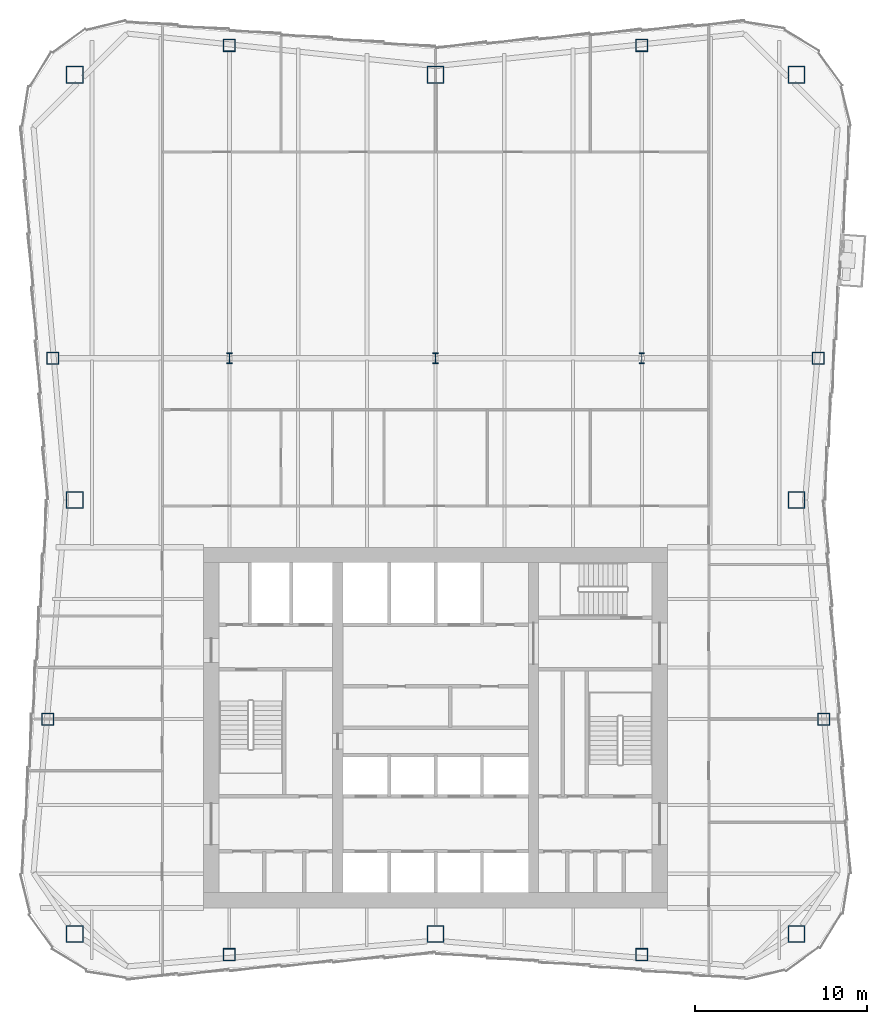
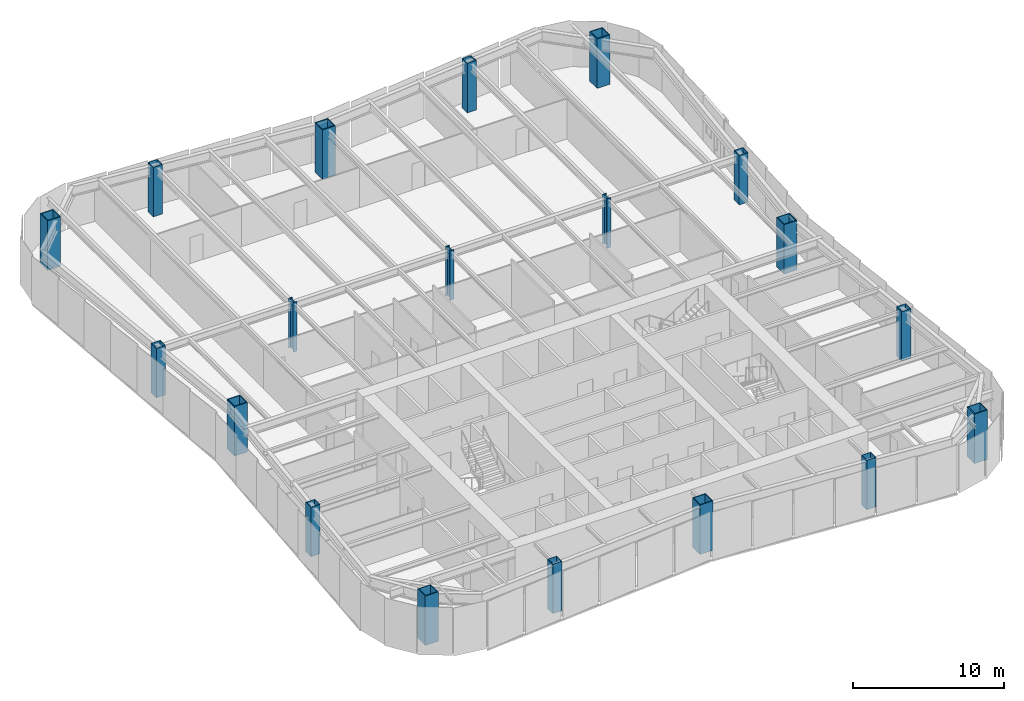
# One storey, part 1 of 10: 19 columns.
"""IFC4 building model written with IfcOpenShell, lengths in metres."""

from ifc_helpers import new_model, si_unit, direction, frame, origin, origin_2d, place, context, subcontext, project, spatial, hollow_rectangle, i_section, extrude, material, material_profile, profile_set, type_object, element, save


model = new_model("IFC4")

# Units and contexts
model_context = context("Model", 3, precision=1e-05, world=origin(), true_north=direction((0.0, 1.0)))
body_context = subcontext(model_context, "Body", "Model", "MODEL_VIEW")
ifc_project = project(units=[si_unit("LENGTHUNIT", "METRE"), si_unit("AREAUNIT", "SQUARE_METRE"), si_unit("VOLUMEUNIT", "CUBIC_METRE"), si_unit("PLANEANGLEUNIT", "RADIAN"), si_unit("MASSUNIT", "GRAM", prefix="KILO")], contexts=[model_context])

# Site, building, storey
site_placement = place(None, origin())
site = spatial("IfcSite", under=ifc_project, at=site_placement, CompositionType="ELEMENT")
building_placement = place(site_placement, origin())
building = spatial("IfcBuilding", under=site, at=building_placement, Name="Verdant Reach Tower", CompositionType="ELEMENT")
storey_placement = place(building_placement, frame((0.0, 0.0, 198.0)))
storey = spatial("IfcBuildingStorey", under=building, at=storey_placement, Name="L45", CompositionType="ELEMENT", Elevation=198.0)

# Columns
ifc_material = material(Name="Steel S460", Category="steel")
ifc_material_profile_1 = material_profile(ifc_material, i_section(OverallWidth=0.304931640625, OverallDepth=0.6201171875, WebThickness=0.02099609375, FlangeThickness=0.0400390625, FilletRadius=0.027099609375, at=origin_2d()), Name="HEM 600")
ifc_profile_set_1 = profile_set([ifc_material_profile_1], Name="Steel S460")
column_type_1 = type_object("IfcColumnType", Name="ST-COL-HEM600", PredefinedType="COLUMN", material=ifc_profile_set_1)
for number, where, z_axis, x_axis, name in (
    (1, (-12.0, 49.5, 0.0), (0.0, 0.0, 1.0), (1.0, 0.0, 0.0), "Interior column 1, L45"),
    (2, (0.0, 49.5, 0.0), (0.0, 0.0, 1.0), (1.0, 0.0, 0.0), "Interior column 2, L45"),
    (3, (12.0, 49.5, 0.0), (0.0, 0.0, 1.0), (1.0, 0.0, 0.0), "Interior column 3, L45"),
):
    element("IfcColumn", number, at=place(storey_placement, frame(where, z_axis=z_axis, x_axis=x_axis)), inside=storey, type_object=column_type_1, Name=name, PredefinedType="COLUMN", context=body_context, shape_type="SweptSolid", body=[
        extrude(i_section(OverallWidth=0.304931640625, OverallDepth=0.6201171875, WebThickness=0.02099609375, FlangeThickness=0.0400390625, FilletRadius=0.027099609375, at=origin_2d()), origin(), (0.0, 0.0, 1.0), 4.0),
    ])
ifc_material_profile_2 = material_profile(ifc_material, hollow_rectangle(XDim=1.0, YDim=1.0, WallThickness=0.06005859375, at=origin_2d()), Name="WB 1000x1000x60")
ifc_profile_set_2 = profile_set([ifc_material_profile_2], Name="Steel S460")
column_type_2 = type_object("IfcColumnType", Name="ST-COL-WB1000x1000x60", PredefinedType="COLUMN", material=ifc_profile_set_2)
for number, where, z_axis, x_axis, name in (
    (4, (-21.0, 66.0, 0.0), (0.0, 0.0, 1.0), (1.0, 0.0, 0.0), "Mega column north-west, L45"),
    (5, (0.0, 66.0, 0.0), (0.0, 0.0, 1.0), (1.0, 0.0, 0.0), "Mega column north, L45"),
    (6, (21.0, 66.0, 0.0), (0.0, 0.0, 1.0), (1.0, 0.0, 0.0), "Mega column north-east, L45"),
    (7, (21.0, 41.25, 0.0), (0.0, 0.0, 1.0), (1.0, 0.0, 0.0), "Mega column east, L45"),
    (8, (21.0, 16.0, 0.0), (0.0, 0.0, 1.0), (1.0, 0.0, 0.0), "Mega column south-east, L45"),
    (9, (0.0, 16.0, 0.0), (0.0, 0.0, 1.0), (1.0, 0.0, 0.0), "Mega column south, L45"),
    (10, (-21.0, 16.0, 0.0), (0.0, 0.0, 1.0), (1.0, 0.0, 0.0), "Mega column south-west, L45"),
    (11, (-21.0, 41.25, 0.0), (0.0, 0.0, 1.0), (1.0, 0.0, 0.0), "Mega column west, L45"),
):
    element("IfcColumn", number, at=place(storey_placement, frame(where, z_axis=z_axis, x_axis=x_axis)), inside=storey, type_object=column_type_2, Name=name, PredefinedType="COLUMN", context=body_context, shape_type="SweptSolid", body=[
        extrude(hollow_rectangle(XDim=1.0, YDim=1.0, WallThickness=0.06005859375, at=origin_2d()), origin(), (0.0, 0.0, 1.0), 4.0),
    ])
ifc_material_profile_3 = material_profile(ifc_material, hollow_rectangle(XDim=0.699951171875, YDim=0.699951171875, WallThickness=0.030029296875, at=origin_2d()), Name="WB 700x700x30")
ifc_profile_set_3 = profile_set([ifc_material_profile_3], Name="Steel S460")
column_type_3 = type_object("IfcColumnType", Name="ST-COL-WB700x700x30", PredefinedType="COLUMN", material=ifc_profile_set_3)
for number, where, z_axis, x_axis, name in (
    (12, (-12.0, 67.699951171875, 0.0), (0.0, 0.0, 1.0), (1.0, 0.0, 0.0), "Perimeter column north 1, L45"),
    (13, (12.0, 67.699951171875, 0.0), (0.0, 0.0, 1.0), (1.0, 0.0, 0.0), "Perimeter column north 2, L45"),
    (14, (-12.0, 14.800048828125, 0.0), (0.0, 0.0, 1.0), (1.0, 0.0, 0.0), "Perimeter column south 1, L45"),
    (15, (12.0, 14.800048828125, 0.0), (0.0, 0.0, 1.0), (1.0, 0.0, 0.0), "Perimeter column south 2, L45"),
    (16, (22.579345703125, 28.5, 0.0), (0.0, 0.0, 1.0), (1.0, 0.0, 0.0), "Perimeter column east 1, L45"),
    (17, (22.26904296875, 49.5, 0.0), (0.0, 0.0, 1.0), (1.0, 0.0, 0.0), "Perimeter column east 2, L45"),
    (18, (-22.579345703125, 28.5, 0.0), (0.0, 0.0, 1.0), (1.0, 0.0, 0.0), "Perimeter column west 1, L45"),
    (19, (-22.26904296875, 49.5, 0.0), (0.0, 0.0, 1.0), (1.0, 0.0, 0.0), "Perimeter column west 2, L45"),
):
    element("IfcColumn", number, at=place(storey_placement, frame(where, z_axis=z_axis, x_axis=x_axis)), inside=storey, type_object=column_type_3, Name=name, PredefinedType="COLUMN", context=body_context, shape_type="SweptSolid", body=[
        extrude(hollow_rectangle(XDim=0.699951171875, YDim=0.699951171875, WallThickness=0.030029296875, at=origin_2d()), origin(), (0.0, 0.0, 1.0), 4.0),
    ])

save(model, "model.ifc")
